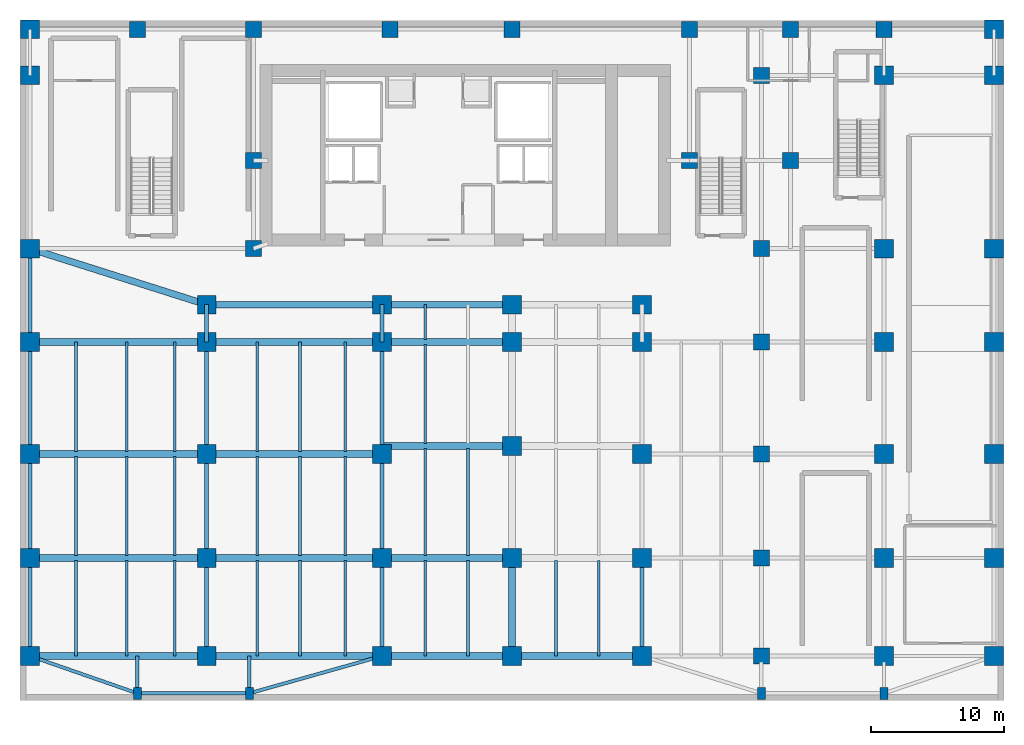
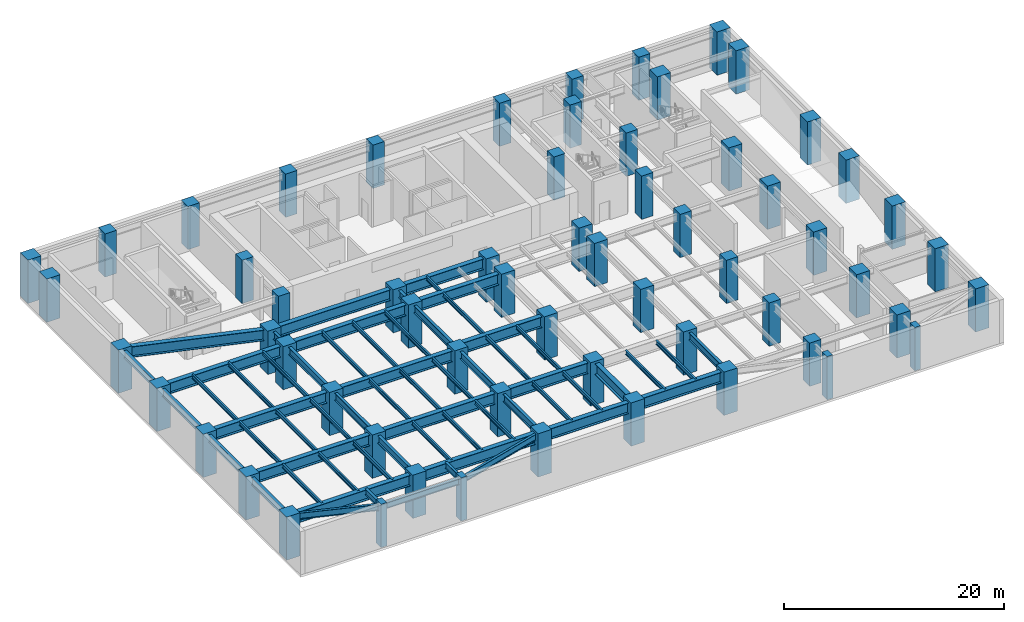
# One storey, part 1 of 9: 61 beams, 61 columns.
"""IFC4 building model written with IfcOpenShell, lengths in metres."""

from ifc_helpers import new_model, si_unit, direction, frame, origin, origin_2d, place, context, subcontext, project, spatial, rectangle, i_section, extrude, source, transform, mapped, material, material_profile, profile_set, type_object, type_shapes, element, save


model = new_model("IFC4")

# Units and contexts
model_context = context("Model", 3, precision=1e-05, world=origin(), true_north=direction((0.0, 1.0)))
body_context = subcontext(model_context, "Body", "Model", "MODEL_VIEW")
ifc_project = project(units=[si_unit("LENGTHUNIT", "METRE"), si_unit("AREAUNIT", "SQUARE_METRE"), si_unit("VOLUMEUNIT", "CUBIC_METRE"), si_unit("PLANEANGLEUNIT", "RADIAN"), si_unit("MASSUNIT", "GRAM", prefix="KILO")], contexts=[model_context])

# Site, building, storey
site_placement = place(None, origin())
site = spatial("IfcSite", under=ifc_project, at=site_placement, CompositionType="ELEMENT")
building_placement = place(site_placement, origin())
building = spatial("IfcBuilding", under=site, at=building_placement, Name="Tolvann Quenvar Hotel", CompositionType="ELEMENT")
storey_placement = place(building_placement, frame((0.0, 0.0, -4.800048828125)))
storey = spatial("IfcBuildingStorey", under=building, at=storey_placement, Name="B01", CompositionType="ELEMENT", Elevation=-4.800048828125)

# Columns
ifc_material_1 = material(Name="Concrete S80 (80 MPa)", Category="concrete")
ifc_material_profile_1 = material_profile(ifc_material_1, rectangle(XDim=1.39990234375, YDim=1.39990234375, at=origin_2d()), Name="RC1400x1400")
ifc_profile_set_1 = profile_set([ifc_material_profile_1], Name="Concrete S80 (80 MPa)")
column_type_1 = type_object("IfcColumnType", Name="COL_RC1400", PredefinedType="COLUMN", material=ifc_profile_set_1)
shared_shape_1 = source(origin(), body_context, "Body", "SweptSolid", [
    extrude(rectangle(XDim=1.39990234375, YDim=1.39990234375, at=origin_2d()), origin(), (0.0, 0.0, 1.0), 4.800048828125),
])
type_shapes(column_type_1, [shared_shape_1])
for number, where, z_axis, x_axis, name in (
    (1, (-7.64990234375, 0.85009765625, 0.0), (0.0, 0.0, 1.0), (1.0, 0.0, 0.0), "Column PA1 (B01)"),
    (2, (64.64990234375, 0.85009765625, 0.0), (0.0, 0.0, 1.0), (1.0, 0.0, 0.0), "Column PK1 (B01)"),
    (3, (-7.64990234375, 8.199951171875, 0.0), (0.0, 0.0, 1.0), (1.0, 0.0, 0.0), "Column PA2 (B01)"),
    (4, (64.64990234375, 8.199951171875, 0.0), (0.0, 0.0, 1.0), (1.0, 0.0, 0.0), "Column PK2 (B01)"),
    (5, (-7.64990234375, 16.0, 0.0), (0.0, 0.0, 1.0), (1.0, 0.0, 0.0), "Column PA3 (B01)"),
    (6, (64.64990234375, 16.0, 0.0), (0.0, 0.0, 1.0), (1.0, 0.0, 0.0), "Column PK3 (B01)"),
    (7, (-7.64990234375, 24.39990234375, 0.0), (0.0, 0.0, 1.0), (1.0, 0.0, 0.0), "Column PA4 (B01)"),
    (8, (64.64990234375, 24.39990234375, 0.0), (0.0, 0.0, 1.0), (1.0, 0.0, 0.0), "Column PK4 (B01)"),
    (9, (-7.64990234375, 31.39990234375, 0.0), (0.0, 0.0, 1.0), (1.0, 0.0, 0.0), "Column PA5 (B01)"),
    (10, (64.64990234375, 31.39990234375, 0.0), (0.0, 0.0, 1.0), (1.0, 0.0, 0.0), "Column PK5 (B01)"),
    (11, (-7.64990234375, 44.39990234375, 0.0), (0.0, 0.0, 1.0), (1.0, 0.0, 0.0), "Column PA6 (B01)"),
    (12, (64.64990234375, 44.39990234375, 0.0), (0.0, 0.0, 1.0), (1.0, 0.0, 0.0), "Column PK6 (B01)"),
    (13, (-7.64990234375, 47.85009765625, 0.0), (0.0, 0.0, 1.0), (1.0, 0.0, 0.0), "Column PAN (B01)"),
    (14, (64.64990234375, 47.85009765625, 0.0), (0.0, 0.0, 1.0), (1.0, 0.0, 0.0), "Column PKN (B01)"),
    (15, (18.75, 0.85009765625, 0.0), (0.0, 0.0, 1.0), (1.0, 0.0, 0.0), "Column PAPW1 (B01)"),
    (16, (38.25, 0.85009765625, 0.0), (0.0, 0.0, 1.0), (1.0, 0.0, 0.0), "Column PAPE1 (B01)"),
    (17, (18.75, 8.199951171875, 0.0), (0.0, 0.0, 1.0), (1.0, 0.0, 0.0), "Column PAPW2 (B01)"),
    (18, (38.25, 8.199951171875, 0.0), (0.0, 0.0, 1.0), (1.0, 0.0, 0.0), "Column PAPE2 (B01)"),
    (19, (18.75, 16.0, 0.0), (0.0, 0.0, 1.0), (1.0, 0.0, 0.0), "Column PAPW3 (B01)"),
    (20, (38.25, 16.0, 0.0), (0.0, 0.0, 1.0), (1.0, 0.0, 0.0), "Column PAPE3 (B01)"),
    (21, (18.75, 24.39990234375, 0.0), (0.0, 0.0, 1.0), (1.0, 0.0, 0.0), "Column PAPW4 (B01)"),
    (22, (38.25, 24.39990234375, 0.0), (0.0, 0.0, 1.0), (1.0, 0.0, 0.0), "Column PAPE4 (B01)"),
    (23, (18.75, 27.199951171875, 0.0), (0.0, 0.0, 1.0), (1.0, 0.0, 0.0), "Column PAPW5 (B01)"),
    (24, (38.25, 27.199951171875, 0.0), (0.0, 0.0, 1.0), (1.0, 0.0, 0.0), "Column PAPE5 (B01)"),
    (25, (56.39990234375, 0.85009765625, 0.0), (0.0, 0.0, 1.0), (1.0, 0.0, 0.0), "Column PJ1 (B01)"),
    (26, (56.39990234375, 8.199951171875, 0.0), (0.0, 0.0, 1.0), (1.0, 0.0, 0.0), "Column PJ2 (B01)"),
    (27, (56.39990234375, 16.0, 0.0), (0.0, 0.0, 1.0), (1.0, 0.0, 0.0), "Column PJ3 (B01)"),
    (28, (56.39990234375, 24.39990234375, 0.0), (0.0, 0.0, 1.0), (1.0, 0.0, 0.0), "Column PJ4 (B01)"),
    (29, (56.39990234375, 31.39990234375, 0.0), (0.0, 0.0, 1.0), (1.0, 0.0, 0.0), "Column PJ5 (B01)"),
    (30, (56.39990234375, 44.39990234375, 0.0), (0.0, 0.0, 1.0), (1.0, 0.0, 0.0), "Column PJ6 (B01)"),
    (31, (5.60009765625, 0.85009765625, 0.0), (0.0, 0.0, 1.0), (1.0, 0.0, 0.0), "Column PBAL1 (B01)"),
    (32, (5.60009765625, 8.199951171875, 0.0), (0.0, 0.0, 1.0), (1.0, 0.0, 0.0), "Column PBAL2 (B01)"),
    (33, (5.60009765625, 16.0, 0.0), (0.0, 0.0, 1.0), (1.0, 0.0, 0.0), "Column PBAL3 (B01)"),
    (34, (5.60009765625, 24.39990234375, 0.0), (0.0, 0.0, 1.0), (1.0, 0.0, 0.0), "Column PBAL4 (B01)"),
    (35, (5.60009765625, 27.199951171875, 0.0), (0.0, 0.0, 1.0), (1.0, 0.0, 0.0), "Column PBAL5 (B01)"),
    (36, (28.5, 0.85009765625, 0.0), (0.0, 0.0, 1.0), (1.0, 0.0, 0.0), "Column PARCH1 (B01)"),
    (37, (28.5, 8.199951171875, 0.0), (0.0, 0.0, 1.0), (1.0, 0.0, 0.0), "Column PARCH2 (B01)"),
    (38, (28.5, 16.60009765625, 0.0), (0.0, 0.0, 1.0), (1.0, 0.0, 0.0), "Column PARCH3 (B01)"),
    (39, (28.5, 24.39990234375, 0.0), (0.0, 0.0, 1.0), (1.0, 0.0, 0.0), "Column PARCH4 (B01)"),
    (40, (28.5, 27.199951171875, 0.0), (0.0, 0.0, 1.0), (1.0, 0.0, 0.0), "Column PARCH5 (B01)"),
):
    element("IfcColumn", number, at=place(storey_placement, frame(where, z_axis=z_axis, x_axis=x_axis)), inside=storey, type_object=column_type_1, Name=name, PredefinedType="COLUMN", context=body_context, shape_type="MappedRepresentation", body=[
        mapped(shared_shape_1, transform((0.0, 0.0, 0.0), x_axis=(1.0, 0.0, 0.0), y_axis=(0.0, 1.0, 0.0), z_axis=(0.0, 0.0, 1.0), scale=1.0)),
    ])
ifc_material_profile_2 = material_profile(ifc_material_1, rectangle(XDim=1.199951171875, YDim=1.199951171875, at=origin_2d()), Name="RC1200x1200")
ifc_profile_set_2 = profile_set([ifc_material_profile_2], Name="Concrete S80 (80 MPa)")
column_type_2 = type_object("IfcColumnType", Name="COL_RC1200", PredefinedType="COLUMN", material=ifc_profile_set_2)
shared_shape_2 = source(origin(), body_context, "Body", "SweptSolid", [
    extrude(rectangle(XDim=1.199951171875, YDim=1.199951171875, at=origin_2d()), origin(), (0.0, 0.0, 1.0), 4.800048828125),
])
type_shapes(column_type_2, [shared_shape_2])
for number, where, z_axis, x_axis, name in (
    (41, (47.199951171875, 0.85009765625, 0.0), (0.0, 0.0, 1.0), (1.0, 0.0, 0.0), "Column PH1 (B01)"),
    (42, (47.199951171875, 8.199951171875, 0.0), (0.0, 0.0, 1.0), (1.0, 0.0, 0.0), "Column PH2 (B01)"),
    (43, (47.199951171875, 16.0, 0.0), (0.0, 0.0, 1.0), (1.0, 0.0, 0.0), "Column PH3 (B01)"),
    (44, (47.199951171875, 24.39990234375, 0.0), (0.0, 0.0, 1.0), (1.0, 0.0, 0.0), "Column PH4 (B01)"),
    (45, (47.199951171875, 31.39990234375, 0.0), (0.0, 0.0, 1.0), (1.0, 0.0, 0.0), "Column PH5 (B01)"),
    (46, (47.199951171875, 44.39990234375, 0.0), (0.0, 0.0, 1.0), (1.0, 0.0, 0.0), "Column PH6 (B01)"),
    (47, (0.39990234375, 47.85009765625, 0.0), (0.0, 0.0, 1.0), (1.0, 0.0, 0.0), "Column PN1 (B01)"),
    (48, (9.10009765625, 47.85009765625, 0.0), (0.0, 0.0, 1.0), (1.0, 0.0, 0.0), "Column PN2 (B01)"),
    (49, (19.35009765625, 47.85009765625, 0.0), (0.0, 0.0, 1.0), (1.0, 0.0, 0.0), "Column PN3 (B01)"),
    (50, (28.5, 47.85009765625, 0.0), (0.0, 0.0, 1.0), (1.0, 0.0, 0.0), "Column PN4 (B01)"),
    (51, (41.800048828125, 47.85009765625, 0.0), (0.0, 0.0, 1.0), (1.0, 0.0, 0.0), "Column PN5 (B01)"),
    (52, (49.39990234375, 47.85009765625, 0.0), (0.0, 0.0, 1.0), (1.0, 0.0, 0.0), "Column PN6 (B01)"),
    (53, (56.39990234375, 47.85009765625, 0.0), (0.0, 0.0, 1.0), (1.0, 0.0, 0.0), "Column PN7 (B01)"),
    (54, (9.10009765625, 38.0, 0.0), (0.0, 0.0, 1.0), (1.0, 0.0, 0.0), "Column PCN (B01)"),
    (55, (41.800048828125, 38.0, 0.0), (0.0, 0.0, 1.0), (1.0, 0.0, 0.0), "Column PHN (B01)"),
    (56, (49.39990234375, 38.0, 0.0), (0.0, 0.0, 1.0), (1.0, 0.0, 0.0), "Column PIN (B01)"),
    (57, (9.10009765625, 31.39990234375, 0.0), (0.0, 0.0, 1.0), (1.0, 0.0, 0.0), "Column PCNS (B01)"),
):
    element("IfcColumn", number, at=place(storey_placement, frame(where, z_axis=z_axis, x_axis=x_axis)), inside=storey, type_object=column_type_2, Name=name, PredefinedType="COLUMN", context=body_context, shape_type="MappedRepresentation", body=[
        mapped(shared_shape_2, transform((0.0, 0.0, 0.0), x_axis=(1.0, 0.0, 0.0), y_axis=(0.0, 1.0, 0.0), z_axis=(0.0, 0.0, 1.0), scale=1.0)),
    ])
ifc_material_2 = material(Name="Concrete N50 (50 MPa)", Category="concrete")
ifc_material_profile_3 = material_profile(ifc_material_2, rectangle(XDim=0.60009765625, YDim=0.89990234375, at=origin_2d()), Name="RC600x900")
ifc_profile_set_3 = profile_set([ifc_material_profile_3], Name="Concrete N50 (50 MPa)")
column_type_3 = type_object("IfcColumnType", Name="COL_PILASTER_600x900", PredefinedType="PILASTER", material=ifc_profile_set_3)
shared_shape_3 = source(origin(), body_context, "Body", "SweptSolid", [
    extrude(rectangle(XDim=0.60009765625, YDim=0.89990234375, at=origin_2d()), origin(), (0.0, 0.0, 1.0), 4.800048828125),
])
type_shapes(column_type_3, [shared_shape_3])
for number, where, z_axis, x_axis, name in (
    (58, (0.39990234375, -1.949951171875, 0.0), (0.0, 0.0, 1.0), (1.0, 0.0, 0.0), "Column PIL-S1 (B01)"),
    (59, (8.800048828125, -1.949951171875, 0.0), (0.0, 0.0, 1.0), (1.0, 0.0, 0.0), "Column PIL-S2 (B01)"),
    (60, (47.199951171875, -1.949951171875, 0.0), (0.0, 0.0, 1.0), (1.0, 0.0, 0.0), "Column PIL-S3 (B01)"),
    (61, (56.39990234375, -1.949951171875, 0.0), (0.0, 0.0, 1.0), (1.0, 0.0, 0.0), "Column PIL-S4 (B01)"),
):
    element("IfcColumn", number, at=place(storey_placement, frame(where, z_axis=z_axis, x_axis=x_axis)), inside=storey, type_object=column_type_3, Name=name, PredefinedType="PILASTER", context=body_context, shape_type="MappedRepresentation", body=[
        mapped(shared_shape_3, transform((0.0, 0.0, 0.0), x_axis=(1.0, 0.0, 0.0), y_axis=(0.0, 1.0, 0.0), z_axis=(0.0, 0.0, 1.0), scale=1.0)),
    ])

# Beams
ifc_material_3 = material(Name="Steel Grade 350", Category="steel")
ifc_material_profile_4 = material_profile(ifc_material_3, i_section(OverallWidth=0.5, OverallDepth=1.199951171875, WebThickness=0.01611328125, FlangeThickness=0.0400390625, at=origin_2d()), Name="1200WB455")
ifc_profile_set_4 = profile_set([ifc_material_profile_4], Name="Steel Grade 350")
beam_type_1 = type_object("IfcBeamType", Name="BM_TG_1200WB455", PredefinedType="USERDEFINED", material=ifc_profile_set_4)
shared_shape_4 = source(origin(), body_context, "Body", "SweptSolid", [
    extrude(i_section(OverallWidth=0.5, OverallDepth=1.199951171875, WebThickness=0.01611328125, FlangeThickness=0.0400390625, at=origin_2d()), origin(), (0.0, 0.0, 1.0), 13.25),
])
for number, where, z_axis, x_axis, name in (
    (62, (-7.64990234375, 0.85009765625, 3.93994140625), (1.0, 0.0, 0.0), (0.0, 1.0, 0.0), "BM-B01-GW1-1"),
    (63, (-7.64990234375, 8.199951171875, 3.93994140625), (1.0, 0.0, 0.0), (0.0, 1.0, 0.0), "BM-B01-GW1-2"),
    (64, (-7.64990234375, 16.0, 3.93994140625), (1.0, 0.0, 0.0), (0.0, 1.0, 0.0), "BM-B01-GW1-3"),
    (65, (-7.64990234375, 24.39990234375, 3.93994140625), (1.0, 0.0, 0.0), (0.0, 1.0, 0.0), "BM-B01-GW1-4"),
):
    element("IfcBeam", number, at=place(storey_placement, frame(where, z_axis=z_axis, x_axis=x_axis)), inside=storey, type_object=beam_type_1, Name=name, ObjectType="TRANSFER GIRDER", PredefinedType="USERDEFINED", context=body_context, shape_type="MappedRepresentation", body=[
        mapped(shared_shape_4, transform((0.0, 0.0, 0.0), x_axis=(1.0, 0.0, 0.0), y_axis=(0.0, 1.0, 0.0), z_axis=(0.0, 0.0, 1.0), scale=1.0)),
    ])
shared_shape_5 = source(origin(), body_context, "Body", "SweptSolid", [
    extrude(i_section(OverallWidth=0.5, OverallDepth=1.199951171875, WebThickness=0.01611328125, FlangeThickness=0.0400390625, at=origin_2d()), origin(), (0.0, 0.0, 1.0), 13.14990234375),
])
for number, where, z_axis, x_axis, name in (
    (66, (5.60009765625, 0.85009765625, 3.93994140625), (1.0, 0.0, 0.0), (0.0, 1.0, 0.0), "BM-B01-GW2-1"),
    (67, (5.60009765625, 8.199951171875, 3.93994140625), (1.0, 0.0, 0.0), (0.0, 1.0, 0.0), "BM-B01-GW2-2"),
    (68, (5.60009765625, 16.0, 3.93994140625), (1.0, 0.0, 0.0), (0.0, 1.0, 0.0), "BM-B01-GW2-3"),
    (69, (5.60009765625, 24.39990234375, 3.93994140625), (1.0, 0.0, 0.0), (0.0, 1.0, 0.0), "BM-B01-GW2-4"),
    (70, (5.60009765625, 27.199951171875, 3.93994140625), (1.0, 0.0, 0.0), (0.0, 1.0, 0.0), "BM-B01-GW2-5"),
):
    element("IfcBeam", number, at=place(storey_placement, frame(where, z_axis=z_axis, x_axis=x_axis)), inside=storey, type_object=beam_type_1, Name=name, ObjectType="TRANSFER GIRDER", PredefinedType="USERDEFINED", context=body_context, shape_type="MappedRepresentation", body=[
        mapped(shared_shape_5, transform((0.0, 0.0, 0.0), x_axis=(1.0, 0.0, 0.0), y_axis=(0.0, 1.0, 0.0), z_axis=(0.0, 0.0, 1.0), scale=1.0)),
    ])
shared_shape_6 = source(origin(), body_context, "Body", "SweptSolid", [
    extrude(i_section(OverallWidth=0.5, OverallDepth=1.199951171875, WebThickness=0.01611328125, FlangeThickness=0.0400390625, at=origin_2d()), origin(), (0.0, 0.0, 1.0), 13.899658203125),
])
beam_1_placement = place(storey_placement, frame((-7.64990234375, 31.39990234375, 3.93994140625), z_axis=(0.953256923778, -0.302160945971, 0.0), x_axis=(0.302160945971, 0.953256923778, 0.0)))
element("IfcBeam", 71, at=beam_1_placement, inside=storey, type_object=beam_type_1, Name="BM-B01-GW1-5", ObjectType="TRANSFER GIRDER", PredefinedType="USERDEFINED", context=body_context, shape_type="MappedRepresentation", body=[
    mapped(shared_shape_6, transform((0.0, 0.0, 0.0), x_axis=(1.0, 0.0, 0.0), y_axis=(0.0, 1.0, 0.0), z_axis=(0.0, 0.0, 1.0), scale=1.0)),
])
ifc_material_profile_5 = material_profile(ifc_material_3, i_section(OverallWidth=0.300048828125, OverallDepth=0.81591796875, WebThickness=0.010009765625, FlangeThickness=0.028076171875, at=origin_2d()), Name="800WB192")
ifc_profile_set_5 = profile_set([ifc_material_profile_5], Name="Steel Grade 350")
beam_type_2 = type_object("IfcBeamType", Name="BM_GIRD_800WB192", PredefinedType="BEAM", material=ifc_profile_set_5)
shared_shape_7 = source(origin(), body_context, "Body", "SweptSolid", [
    extrude(i_section(OverallWidth=0.300048828125, OverallDepth=0.81591796875, WebThickness=0.010009765625, FlangeThickness=0.028076171875, at=origin_2d()), origin(), (0.0, 0.0, 1.0), 7.349853515625),
])
for number, where, z_axis, x_axis, name in (
    (72, (5.60009765625, 0.85009765625, 4.132080078125), (0.0, 1.0, 0.0), (-1.0, 0.0, 0.0), "BM-B01-NS-PBAL-0"),
    (73, (-7.64990234375, 0.85009765625, 4.132080078125), (0.0, 1.0, 0.0), (-1.0, 0.0, 0.0), "BM-B01-NS-A-0"),
    (74, (18.75, 0.85009765625, 4.132080078125), (0.0, 1.0, 0.0), (-1.0, 0.0, 0.0), "BM-B01-NS-APW-0"),
    (75, (38.25, 0.85009765625, 4.132080078125), (0.0, 1.0, 0.0), (-1.0, 0.0, 0.0), "BM-B01-NS-APE-0"),
):
    element("IfcBeam", number, at=place(storey_placement, frame(where, z_axis=z_axis, x_axis=x_axis)), inside=storey, type_object=beam_type_2, Name=name, PredefinedType="BEAM", context=body_context, shape_type="MappedRepresentation", body=[
        mapped(shared_shape_7, transform((0.0, 0.0, 0.0), x_axis=(1.0, 0.0, 0.0), y_axis=(0.0, 1.0, 0.0), z_axis=(0.0, 0.0, 1.0), scale=1.0)),
    ])
shared_shape_8 = source(origin(), body_context, "Body", "SweptSolid", [
    extrude(i_section(OverallWidth=0.300048828125, OverallDepth=0.81591796875, WebThickness=0.010009765625, FlangeThickness=0.028076171875, at=origin_2d()), origin(), (0.0, 0.0, 1.0), 7.800048828125),
])
for number, where, z_axis, x_axis, name in (
    (76, (5.60009765625, 8.199951171875, 4.132080078125), (0.0, 1.0, 0.0), (-1.0, 0.0, 0.0), "BM-B01-NS-PBAL-1"),
    (77, (-7.64990234375, 8.199951171875, 4.132080078125), (0.0, 1.0, 0.0), (-1.0, 0.0, 0.0), "BM-B01-NS-A-1"),
    (78, (18.75, 8.199951171875, 4.132080078125), (0.0, 1.0, 0.0), (-1.0, 0.0, 0.0), "BM-B01-NS-APW-1"),
):
    element("IfcBeam", number, at=place(storey_placement, frame(where, z_axis=z_axis, x_axis=x_axis)), inside=storey, type_object=beam_type_2, Name=name, PredefinedType="BEAM", context=body_context, shape_type="MappedRepresentation", body=[
        mapped(shared_shape_8, transform((0.0, 0.0, 0.0), x_axis=(1.0, 0.0, 0.0), y_axis=(0.0, 1.0, 0.0), z_axis=(0.0, 0.0, 1.0), scale=1.0)),
    ])
shared_shape_9 = source(origin(), body_context, "Body", "SweptSolid", [
    extrude(i_section(OverallWidth=0.300048828125, OverallDepth=0.81591796875, WebThickness=0.010009765625, FlangeThickness=0.028076171875, at=origin_2d()), origin(), (0.0, 0.0, 1.0), 8.39990234375),
])
for number, where, z_axis, x_axis, name in (
    (79, (5.60009765625, 16.0, 4.132080078125), (0.0, 1.0, 0.0), (-1.0, 0.0, 0.0), "BM-B01-NS-PBAL-2"),
    (80, (-7.64990234375, 16.0, 4.132080078125), (0.0, 1.0, 0.0), (-1.0, 0.0, 0.0), "BM-B01-NS-A-2"),
    (81, (18.75, 16.0, 4.132080078125), (0.0, 1.0, 0.0), (-1.0, 0.0, 0.0), "BM-B01-NS-APW-2"),
):
    element("IfcBeam", number, at=place(storey_placement, frame(where, z_axis=z_axis, x_axis=x_axis)), inside=storey, type_object=beam_type_2, Name=name, PredefinedType="BEAM", context=body_context, shape_type="MappedRepresentation", body=[
        mapped(shared_shape_9, transform((0.0, 0.0, 0.0), x_axis=(1.0, 0.0, 0.0), y_axis=(0.0, 1.0, 0.0), z_axis=(0.0, 0.0, 1.0), scale=1.0)),
    ])
shared_shape_10 = source(origin(), body_context, "Body", "SweptSolid", [
    extrude(i_section(OverallWidth=0.300048828125, OverallDepth=0.81591796875, WebThickness=0.010009765625, FlangeThickness=0.028076171875, at=origin_2d()), origin(), (0.0, 0.0, 1.0), 2.800048828125),
])
for number, where, z_axis, x_axis, name in (
    (82, (5.60009765625, 24.39990234375, 4.132080078125), (0.0, 1.0, 0.0), (-1.0, 0.0, 0.0), "BM-B01-NS-PBAL-3"),
    (83, (18.75, 24.39990234375, 4.132080078125), (0.0, 1.0, 0.0), (-1.0, 0.0, 0.0), "BM-B01-NS-APW-3"),
):
    element("IfcBeam", number, at=place(storey_placement, frame(where, z_axis=z_axis, x_axis=x_axis)), inside=storey, type_object=beam_type_2, Name=name, PredefinedType="BEAM", context=body_context, shape_type="MappedRepresentation", body=[
        mapped(shared_shape_10, transform((0.0, 0.0, 0.0), x_axis=(1.0, 0.0, 0.0), y_axis=(0.0, 1.0, 0.0), z_axis=(0.0, 0.0, 1.0), scale=1.0)),
    ])
shared_shape_11 = source(origin(), body_context, "Body", "SweptSolid", [
    extrude(i_section(OverallWidth=0.5, OverallDepth=1.199951171875, WebThickness=0.01611328125, FlangeThickness=0.0400390625, at=origin_2d()), origin(), (0.0, 0.0, 1.0), 9.75),
])
for number, where, z_axis, x_axis, name in (
    (84, (18.75, 0.85009765625, 3.93994140625), (1.0, 0.0, 0.0), (0.0, 1.0, 0.0), "BM-B01-GA1-8"),
    (85, (28.5, 0.85009765625, 3.93994140625), (1.0, 0.0, 0.0), (0.0, 1.0, 0.0), "BM-B01-GA2-8"),
    (86, (18.75, 8.199951171875, 3.93994140625), (1.0, 0.0, 0.0), (0.0, 1.0, 0.0), "BM-B01-GA1-82"),
    (87, (18.75, 16.60009765625, 3.93994140625), (1.0, 0.0, 0.0), (0.0, 1.0, 0.0), "BM-B01-GA1-166"),
    (88, (18.75, 24.39990234375, 3.93994140625), (1.0, 0.0, 0.0), (0.0, 1.0, 0.0), "BM-B01-GA1-244"),
    (89, (18.75, 27.199951171875, 3.93994140625), (1.0, 0.0, 0.0), (0.0, 1.0, 0.0), "BM-B01-GA1-272"),
):
    element("IfcBeam", number, at=place(storey_placement, frame(where, z_axis=z_axis, x_axis=x_axis)), inside=storey, type_object=beam_type_1, Name=name, ObjectType="TRANSFER GIRDER", PredefinedType="USERDEFINED", context=body_context, shape_type="MappedRepresentation", body=[
        mapped(shared_shape_11, transform((0.0, 0.0, 0.0), x_axis=(1.0, 0.0, 0.0), y_axis=(0.0, 1.0, 0.0), z_axis=(0.0, 0.0, 1.0), scale=1.0)),
    ])
shared_shape_12 = source(origin(), body_context, "Body", "SweptSolid", [
    extrude(i_section(OverallWidth=0.5, OverallDepth=1.199951171875, WebThickness=0.01611328125, FlangeThickness=0.0400390625, at=origin_2d()), origin(), (0.0, 0.0, 1.0), 7.349853515625),
])
type_shapes(beam_type_1, [shared_shape_4, shared_shape_5, shared_shape_6, shared_shape_11, shared_shape_12])
beam_2_placement = place(storey_placement, frame((28.5, 0.85009765625, 3.93994140625), z_axis=(0.0, 1.0, 0.0), x_axis=(-1.0, 0.0, 0.0)))
element("IfcBeam", 90, at=beam_2_placement, inside=storey, type_object=beam_type_1, Name="BM-B01-ARCH-NS-0", ObjectType="TRANSFER GIRDER", PredefinedType="USERDEFINED", context=body_context, shape_type="MappedRepresentation", body=[
    mapped(shared_shape_12, transform((0.0, 0.0, 0.0), x_axis=(1.0, 0.0, 0.0), y_axis=(0.0, 1.0, 0.0), z_axis=(0.0, 0.0, 1.0), scale=1.0)),
])
shared_shape_13 = source(origin(), body_context, "Body", "SweptSolid", [
    extrude(i_section(OverallWidth=0.300048828125, OverallDepth=0.81591796875, WebThickness=0.010009765625, FlangeThickness=0.028076171875, at=origin_2d()), origin(), (0.0, 0.0, 1.0), 7.0),
])
type_shapes(beam_type_2, [shared_shape_7, shared_shape_8, shared_shape_9, shared_shape_10, shared_shape_13])
beam_3_placement = place(storey_placement, frame((-7.64990234375, 24.39990234375, 4.132080078125), z_axis=(0.0, 1.0, 0.0), x_axis=(-1.0, 0.0, 0.0)))
element("IfcBeam", 91, at=beam_3_placement, inside=storey, type_object=beam_type_2, Name="BM-B01-NS-A-3", PredefinedType="BEAM", context=body_context, shape_type="MappedRepresentation", body=[
    mapped(shared_shape_13, transform((0.0, 0.0, 0.0), x_axis=(1.0, 0.0, 0.0), y_axis=(0.0, 1.0, 0.0), z_axis=(0.0, 0.0, 1.0), scale=1.0)),
])
ifc_material_profile_6 = material_profile(ifc_material_3, i_section(OverallWidth=0.25, OverallDepth=0.699951171875, WebThickness=0.010009765625, FlangeThickness=0.02392578125, at=origin_2d()), Name="700WB150")
ifc_profile_set_6 = profile_set([ifc_material_profile_6], Name="Steel Grade 350")
beam_type_3 = type_object("IfcBeamType", Name="BM_GIRD_700WB150", PredefinedType="BEAM", material=ifc_profile_set_6)
shared_shape_14 = source(origin(), body_context, "Body", "SweptSolid", [
    extrude(i_section(OverallWidth=0.25, OverallDepth=0.699951171875, WebThickness=0.010009765625, FlangeThickness=0.02392578125, at=origin_2d()), origin(), (0.0, 0.0, 1.0), 8.52294921875),
])
beam_4_placement = place(storey_placement, frame((-7.64990234375, 0.85009765625, 4.18994140625), z_axis=(0.944492545724, -0.328532846261, 0.0), x_axis=(0.328532846261, 0.944492545724, 0.0)))
element("IfcBeam", 92, at=beam_4_placement, inside=storey, type_object=beam_type_3, Name="BM-B01-EWS-W0", PredefinedType="BEAM", context=body_context, shape_type="MappedRepresentation", body=[
    mapped(shared_shape_14, transform((0.0, 0.0, 0.0), x_axis=(1.0, 0.0, 0.0), y_axis=(0.0, 1.0, 0.0), z_axis=(0.0, 0.0, 1.0), scale=1.0)),
])
shared_shape_15 = source(origin(), body_context, "Body", "SweptSolid", [
    extrude(i_section(OverallWidth=0.25, OverallDepth=0.699951171875, WebThickness=0.010009765625, FlangeThickness=0.02392578125, at=origin_2d()), origin(), (0.0, 0.0, 1.0), 8.400146484375),
])
beam_5_placement = place(storey_placement, frame((0.39990234375, -1.949951171875, 4.18994140625), z_axis=(1.0, 0.0, 0.0), x_axis=(0.0, 1.0, 0.0)))
element("IfcBeam", 93, at=beam_5_placement, inside=storey, type_object=beam_type_3, Name="BM-B01-EWS-W1", PredefinedType="BEAM", context=body_context, shape_type="MappedRepresentation", body=[
    mapped(shared_shape_15, transform((0.0, 0.0, 0.0), x_axis=(1.0, 0.0, 0.0), y_axis=(0.0, 1.0, 0.0), z_axis=(0.0, 0.0, 1.0), scale=1.0)),
])
shared_shape_16 = source(origin(), body_context, "Body", "SweptSolid", [
    extrude(i_section(OverallWidth=0.25, OverallDepth=0.699951171875, WebThickness=0.010009765625, FlangeThickness=0.02392578125, at=origin_2d()), origin(), (0.0, 0.0, 1.0), 10.33642578125),
])
beam_6_placement = place(storey_placement, frame((8.800048828125, -1.949951171875, 4.18994140625), z_axis=(0.962609953155, 0.270891266169, 0.0), x_axis=(-0.270891266169, 0.962609953155, 0.0)))
element("IfcBeam", 94, at=beam_6_placement, inside=storey, type_object=beam_type_3, Name="BM-B01-EWS-W2", PredefinedType="BEAM", context=body_context, shape_type="MappedRepresentation", body=[
    mapped(shared_shape_16, transform((0.0, 0.0, 0.0), x_axis=(1.0, 0.0, 0.0), y_axis=(0.0, 1.0, 0.0), z_axis=(0.0, 0.0, 1.0), scale=1.0)),
])
shared_shape_17 = source(origin(), body_context, "Body", "SweptSolid", [
    extrude(i_section(OverallWidth=0.25, OverallDepth=0.699951171875, WebThickness=0.010009765625, FlangeThickness=0.02392578125, at=origin_2d()), origin(), (0.0, 0.0, 1.0), 2.800048828125),
])
type_shapes(beam_type_3, [shared_shape_14, shared_shape_15, shared_shape_16, shared_shape_17])
for number, where, z_axis, x_axis, name in (
    (95, (0.39990234375, -1.949951171875, 4.18994140625), (0.0, 1.0, 0.0), (-1.0, 0.0, 0.0), "BM-B01-TIE-S-0"),
    (96, (8.800048828125, -1.949951171875, 4.18994140625), (0.0, 1.0, 0.0), (-1.0, 0.0, 0.0), "BM-B01-TIE-S-8"),
):
    element("IfcBeam", number, at=place(storey_placement, frame(where, z_axis=z_axis, x_axis=x_axis)), inside=storey, type_object=beam_type_3, Name=name, PredefinedType="BEAM", context=body_context, shape_type="MappedRepresentation", body=[
        mapped(shared_shape_17, transform((0.0, 0.0, 0.0), x_axis=(1.0, 0.0, 0.0), y_axis=(0.0, 1.0, 0.0), z_axis=(0.0, 0.0, 1.0), scale=1.0)),
    ])
ifc_material_profile_7 = material_profile(ifc_material_3, i_section(OverallWidth=0.18994140625, OverallDepth=0.4541015625, WebThickness=0.008544921875, FlangeThickness=0.0126953125, FilletRadius=0.011474609375, at=origin_2d()), Name="460UB67")
ifc_profile_set_7 = profile_set([ifc_material_profile_7], Name="Steel Grade 350")
beam_type_4 = type_object("IfcBeamType", Name="BM_JOIST_460UB67", PredefinedType="JOIST", material=ifc_profile_set_7)
shared_shape_18 = source(origin(), body_context, "Body", "SweptSolid", [
    extrude(i_section(OverallWidth=0.18994140625, OverallDepth=0.4541015625, WebThickness=0.008544921875, FlangeThickness=0.0126953125, FilletRadius=0.011474609375, at=origin_2d()), origin(), (0.0, 0.0, 1.0), 7.164794921875),
])
for number, where, z_axis, x_axis, name in (
    (97, (-4.199951171875, 0.85009765625, 4.31298828125), (0.0, 1.0, 0.0), (-1.0, 0.0, 0.0), "BJ-B01--42-8"),
    (98, (-0.39990234375, 0.85009765625, 4.31298828125), (0.0, 1.0, 0.0), (-1.0, 0.0, 0.0), "BJ-B01--4-8"),
    (99, (3.199951171875, 0.85009765625, 4.31298828125), (0.0, 1.0, 0.0), (-1.0, 0.0, 0.0), "BJ-B01-32-8"),
    (100, (9.39990234375, 0.85009765625, 4.31298828125), (0.0, 1.0, 0.0), (-1.0, 0.0, 0.0), "BJ-B01-94-8"),
    (101, (12.60009765625, 0.85009765625, 4.31298828125), (0.0, 1.0, 0.0), (-1.0, 0.0, 0.0), "BJ-B01-126-8"),
    (102, (16.0, 0.85009765625, 4.31298828125), (0.0, 1.0, 0.0), (-1.0, 0.0, 0.0), "BJ-B01-160-8"),
    (103, (22.0, 0.85009765625, 4.31298828125), (0.0, 1.0, 0.0), (-1.0, 0.0, 0.0), "BJ-B01-ARCH-220-8"),
    (104, (25.199951171875, 0.85009765625, 4.31298828125), (0.0, 1.0, 0.0), (-1.0, 0.0, 0.0), "BJ-B01-ARCH-252-8"),
    (105, (31.800048828125, 0.85009765625, 4.31298828125), (0.0, 1.0, 0.0), (-1.0, 0.0, 0.0), "BJ-B01-ARCH-318-8"),
    (106, (35.0, 0.85009765625, 4.31298828125), (0.0, 1.0, 0.0), (-1.0, 0.0, 0.0), "BJ-B01-ARCH-350-8"),
):
    element("IfcBeam", number, at=place(storey_placement, frame(where, z_axis=z_axis, x_axis=x_axis)), inside=storey, type_object=beam_type_4, Name=name, PredefinedType="JOIST", context=body_context, shape_type="MappedRepresentation", body=[
        mapped(shared_shape_18, transform((0.0, 0.0, 0.0), x_axis=(1.0, 0.0, 0.0), y_axis=(0.0, 1.0, 0.0), z_axis=(0.0, 0.0, 1.0), scale=1.0)),
    ])
shared_shape_19 = source(origin(), body_context, "Body", "SweptSolid", [
    extrude(i_section(OverallWidth=0.18994140625, OverallDepth=0.4541015625, WebThickness=0.008544921875, FlangeThickness=0.0126953125, FilletRadius=0.011474609375, at=origin_2d()), origin(), (0.0, 0.0, 1.0), 7.429931640625),
])
for number, where, z_axis, x_axis, name in (
    (107, (-4.199951171875, 8.385009765625, 4.31298828125), (0.0, 1.0, 0.0), (-1.0, 0.0, 0.0), "BJ-B01--42-82"),
    (108, (-0.39990234375, 8.385009765625, 4.31298828125), (0.0, 1.0, 0.0), (-1.0, 0.0, 0.0), "BJ-B01--4-82"),
    (109, (3.199951171875, 8.385009765625, 4.31298828125), (0.0, 1.0, 0.0), (-1.0, 0.0, 0.0), "BJ-B01-32-82"),
    (110, (9.39990234375, 8.385009765625, 4.31298828125), (0.0, 1.0, 0.0), (-1.0, 0.0, 0.0), "BJ-B01-94-82"),
    (111, (12.60009765625, 8.385009765625, 4.31298828125), (0.0, 1.0, 0.0), (-1.0, 0.0, 0.0), "BJ-B01-126-82"),
    (112, (16.0, 8.385009765625, 4.31298828125), (0.0, 1.0, 0.0), (-1.0, 0.0, 0.0), "BJ-B01-160-82"),
):
    element("IfcBeam", number, at=place(storey_placement, frame(where, z_axis=z_axis, x_axis=x_axis)), inside=storey, type_object=beam_type_4, Name=name, PredefinedType="JOIST", context=body_context, shape_type="MappedRepresentation", body=[
        mapped(shared_shape_19, transform((0.0, 0.0, 0.0), x_axis=(1.0, 0.0, 0.0), y_axis=(0.0, 1.0, 0.0), z_axis=(0.0, 0.0, 1.0), scale=1.0)),
    ])
shared_shape_20 = source(origin(), body_context, "Body", "SweptSolid", [
    extrude(i_section(OverallWidth=0.18994140625, OverallDepth=0.4541015625, WebThickness=0.008544921875, FlangeThickness=0.0126953125, FilletRadius=0.011474609375, at=origin_2d()), origin(), (0.0, 0.0, 1.0), 8.21484375),
])
for number, where, z_axis, x_axis, name in (
    (113, (-4.199951171875, 16.18505859375, 4.31298828125), (0.0, 1.0, 0.0), (-1.0, 0.0, 0.0), "BJ-B01--42-160"),
    (114, (-0.39990234375, 16.18505859375, 4.31298828125), (0.0, 1.0, 0.0), (-1.0, 0.0, 0.0), "BJ-B01--4-160"),
    (115, (3.199951171875, 16.18505859375, 4.31298828125), (0.0, 1.0, 0.0), (-1.0, 0.0, 0.0), "BJ-B01-32-160"),
    (116, (9.39990234375, 16.18505859375, 4.31298828125), (0.0, 1.0, 0.0), (-1.0, 0.0, 0.0), "BJ-B01-94-160"),
    (117, (12.60009765625, 16.18505859375, 4.31298828125), (0.0, 1.0, 0.0), (-1.0, 0.0, 0.0), "BJ-B01-126-160"),
    (118, (16.0, 16.18505859375, 4.31298828125), (0.0, 1.0, 0.0), (-1.0, 0.0, 0.0), "BJ-B01-160-160"),
):
    element("IfcBeam", number, at=place(storey_placement, frame(where, z_axis=z_axis, x_axis=x_axis)), inside=storey, type_object=beam_type_4, Name=name, PredefinedType="JOIST", context=body_context, shape_type="MappedRepresentation", body=[
        mapped(shared_shape_20, transform((0.0, 0.0, 0.0), x_axis=(1.0, 0.0, 0.0), y_axis=(0.0, 1.0, 0.0), z_axis=(0.0, 0.0, 1.0), scale=1.0)),
    ])
shared_shape_21 = source(origin(), body_context, "Body", "SweptSolid", [
    extrude(i_section(OverallWidth=0.18994140625, OverallDepth=0.4541015625, WebThickness=0.008544921875, FlangeThickness=0.0126953125, FilletRadius=0.011474609375, at=origin_2d()), origin(), (0.0, 0.0, 1.0), 8.030029296875),
])
for number, where, z_axis, x_axis, name in (
    (119, (22.0, 8.385009765625, 4.31298828125), (0.0, 1.0, 0.0), (-1.0, 0.0, 0.0), "BJ-B01-ARCH-220-82"),
    (120, (25.199951171875, 8.385009765625, 4.31298828125), (0.0, 1.0, 0.0), (-1.0, 0.0, 0.0), "BJ-B01-ARCH-252-82"),
):
    element("IfcBeam", number, at=place(storey_placement, frame(where, z_axis=z_axis, x_axis=x_axis)), inside=storey, type_object=beam_type_4, Name=name, PredefinedType="JOIST", context=body_context, shape_type="MappedRepresentation", body=[
        mapped(shared_shape_21, transform((0.0, 0.0, 0.0), x_axis=(1.0, 0.0, 0.0), y_axis=(0.0, 1.0, 0.0), z_axis=(0.0, 0.0, 1.0), scale=1.0)),
    ])
shared_shape_22 = source(origin(), body_context, "Body", "SweptSolid", [
    extrude(i_section(OverallWidth=0.18994140625, OverallDepth=0.4541015625, WebThickness=0.008544921875, FlangeThickness=0.0126953125, FilletRadius=0.011474609375, at=origin_2d()), origin(), (0.0, 0.0, 1.0), 7.43017578125),
])
beam_7_placement = place(storey_placement, frame((22.0, 16.784912109375, 4.31298828125), z_axis=(0.0, 1.0, 0.0), x_axis=(-1.0, 0.0, 0.0)))
element("IfcBeam", 121, at=beam_7_placement, inside=storey, type_object=beam_type_4, Name="BJ-B01-ARCH-220-166", PredefinedType="JOIST", context=body_context, shape_type="MappedRepresentation", body=[
    mapped(shared_shape_22, transform((0.0, 0.0, 0.0), x_axis=(1.0, 0.0, 0.0), y_axis=(0.0, 1.0, 0.0), z_axis=(0.0, 0.0, 1.0), scale=1.0)),
])
shared_shape_23 = source(origin(), body_context, "Body", "SweptSolid", [
    extrude(i_section(OverallWidth=0.18994140625, OverallDepth=0.4541015625, WebThickness=0.008544921875, FlangeThickness=0.0126953125, FilletRadius=0.011474609375, at=origin_2d()), origin(), (0.0, 0.0, 1.0), 2.614990234375),
])
type_shapes(beam_type_4, [shared_shape_18, shared_shape_19, shared_shape_20, shared_shape_21, shared_shape_22, shared_shape_23])
beam_8_placement = place(storey_placement, frame((22.0, 24.5849609375, 4.31298828125), z_axis=(0.0, 1.0, 0.0), x_axis=(-1.0, 0.0, 0.0)))
element("IfcBeam", 122, at=beam_8_placement, inside=storey, type_object=beam_type_4, Name="BJ-B01-ARCH-220-244", PredefinedType="JOIST", context=body_context, shape_type="MappedRepresentation", body=[
    mapped(shared_shape_23, transform((0.0, 0.0, 0.0), x_axis=(1.0, 0.0, 0.0), y_axis=(0.0, 1.0, 0.0), z_axis=(0.0, 0.0, 1.0), scale=1.0)),
])

save(model, "model.ifc")
